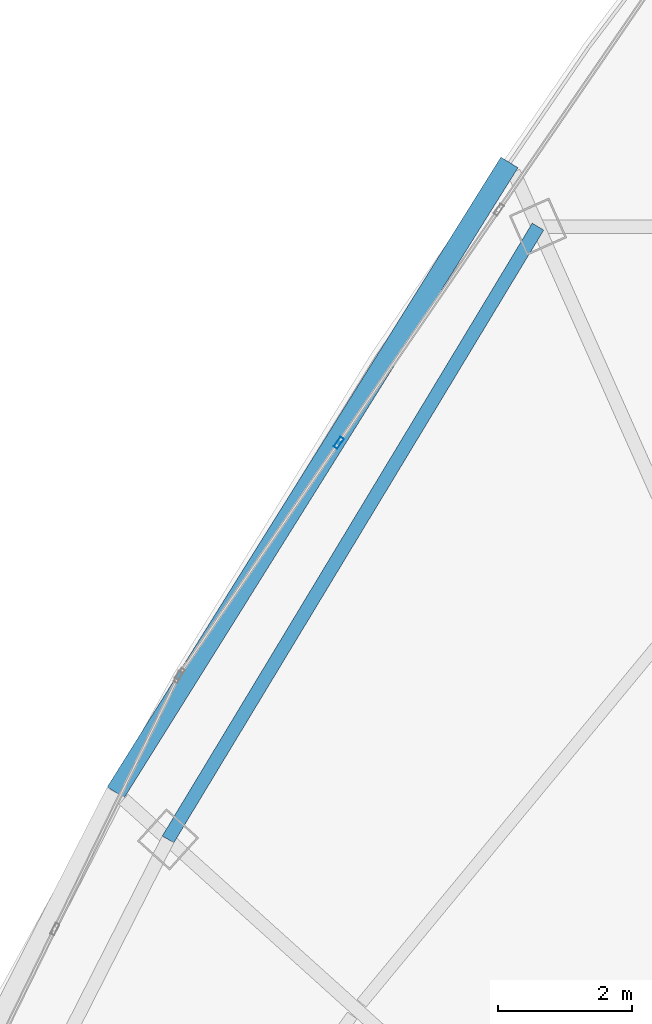
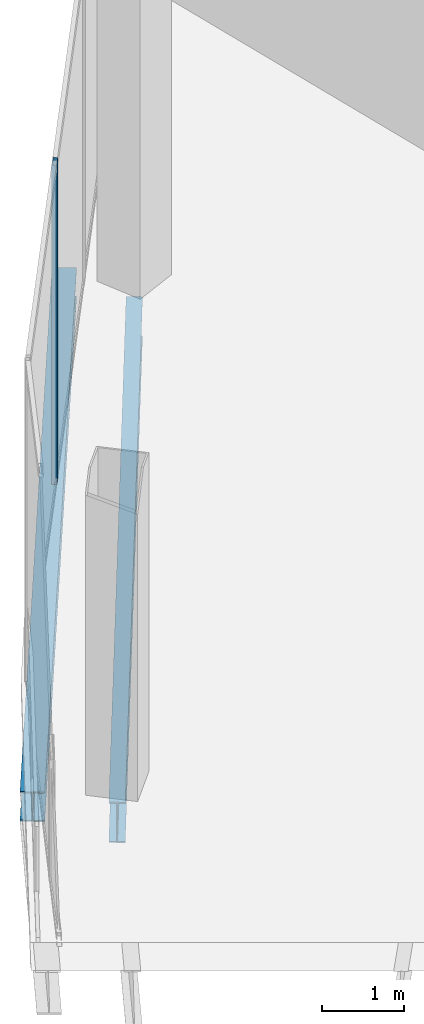
# One storey, part 12 of 32: 2 beams, 1 member, 1 element without a shape of its own.
"""IFC4 building model written with IfcOpenShell, lengths in metres."""

from ifc_helpers import new_model, si_unit, direction, frame, origin, origin_2d, place, context, subcontext, project, spatial, hollow_rectangle, i_section, extrude, source, transform, mapped, material, layer, layer_set, material_profile, profile_set, type_object, element, aggregate, save


model = new_model("IFC4")

# Units and contexts
model_context = context("Model", 3, precision=1e-05, world=origin(), true_north=direction((0.0, 1.0)))
body_context = subcontext(model_context, "Body", "Model", "MODEL_VIEW")
ifc_project = project(units=[si_unit("LENGTHUNIT", "METRE"), si_unit("AREAUNIT", "SQUARE_METRE"), si_unit("VOLUMEUNIT", "CUBIC_METRE"), si_unit("PLANEANGLEUNIT", "RADIAN"), si_unit("MASSUNIT", "GRAM", prefix="KILO"), si_unit("THERMODYNAMICTEMPERATUREUNIT", "KELVIN"), si_unit("POWERUNIT", "WATT")], contexts=[model_context])

# Site, building, storey
site_placement = place(None, origin())
site = spatial("IfcSite", under=ifc_project, at=site_placement, CompositionType="ELEMENT")
building_placement = place(site_placement, origin())
building = spatial("IfcBuilding", under=site, at=building_placement, Name="Yunzhuo Pagoda Commons", CompositionType="ELEMENT")
storey_placement = place(building_placement, frame((0.0, 0.0, 396.760009765625)))
storey = spatial("IfcBuildingStorey", under=building, at=storey_placement, Name="L98", CompositionType="ELEMENT", Elevation=396.760009765625)

# Beams
ifc_material_1 = material(Name="Structural steel Q355B", Category="steel")
ifc_material_profile_1 = material_profile(ifc_material_1, i_section(OverallWidth=0.199951171875, OverallDepth=0.60009765625, WebThickness=0.010986328125, FlangeThickness=0.01708984375, at=origin_2d()), Name="Structural steel Q355B")
ifc_profile_set_1 = profile_set([ifc_material_profile_1], Name="Structural steel Q355B")
beam_type_1 = type_object("IfcBeamType", Name="B-RG3 Beam HN 600x200x11x17", PredefinedType="BEAM", material=ifc_profile_set_1)
shared_shape_1 = source(origin(), body_context, "Body", "SweptSolid", [
    extrude(i_section(OverallWidth=0.199951171875, OverallDepth=0.60009765625, WebThickness=0.010986328125, FlangeThickness=0.01708984375, at=origin_2d()), origin(), (0.0, 0.0, 1.0), 10.691162109375),
])
beam_1_placement = place(storey_placement, frame((37.501220703125, 57.281005859375, -0.580078125), z_axis=(-0.516864678433, -0.856067114301, 0.0), x_axis=(0.856067114301, -0.516864678433, 0.0)))
element("IfcBeam", 1, at=beam_1_placement, inside=storey, type_object=beam_type_1, Name="L98 column-ring beam 9", PredefinedType="BEAM", context=body_context, shape_type="MappedRepresentation", body=[
    mapped(shared_shape_1, transform((0.0, 0.0, 0.0), scale=1.0)),
])
ifc_material_profile_2 = material_profile(ifc_material_1, i_section(OverallWidth=0.300048828125, OverallDepth=0.43994140625, WebThickness=0.010986328125, FlangeThickness=0.01806640625, at=origin_2d()), Name="Structural steel Q355B")
ifc_profile_set_2 = profile_set([ifc_material_profile_2], Name="Structural steel Q355B")
beam_type_2 = type_object("IfcBeamType", Name="B-SP2 Beam HM 440x300x11x18", PredefinedType="BEAM", material=ifc_profile_set_2)
shared_shape_2 = source(origin(), body_context, "Body", "SweptSolid", [
    extrude(i_section(OverallWidth=0.300048828125, OverallDepth=0.43994140625, WebThickness=0.010986328125, FlangeThickness=0.01806640625, at=origin_2d()), origin(), (0.0, 0.0, 1.0), 11.094482421875),
])
beam_2_placement = place(storey_placement, frame((37.07421875, 58.239990234375, -0.5), z_axis=(-0.529915860294, -0.848050223164, 0.0), x_axis=(0.848050223164, -0.529915860294, 0.0)))
element("IfcBeam", 2, at=beam_2_placement, inside=storey, type_object=beam_type_2, Name="L98 facade edge spandrel beam F3.1", PredefinedType="BEAM", context=body_context, shape_type="MappedRepresentation", body=[
    mapped(shared_shape_2, transform((0.0, 0.0, 0.0), scale=1.0)),
])

# Curtain wall, member
ifc_material_2 = material(Name="Anodized aluminium 6063-T6", Category="aluminium")
ifc_layer = layer(ifc_material_2, 0.179931640625)
ifc_layer_set = layer_set([ifc_layer], Name="Anodized aluminium 6063-T6")
curtain_wall_type = type_object("IfcCurtainWallType", Name="CW-CRN Crown Gable Glazing System", PredefinedType="NOTDEFINED", material=ifc_layer_set)
curtain_wall_placement = place(storey_placement, origin())
curtain_wall = element("IfcCurtainWall", 3, at=curtain_wall_placement, inside=storey, type_object=curtain_wall_type, Name="L98 curtain wall CW-L98-CRNF3G1", PredefinedType="NOTDEFINED")
ifc_material_profile_3 = material_profile(ifc_material_2, hollow_rectangle(XDim=0.06494140625, YDim=0.179931640625, WallThickness=0.00390625, at=origin_2d()), Name="Anodized aluminium 6063-T6")
ifc_profile_set_3 = profile_set([ifc_material_profile_3], Name="Anodized aluminium 6063-T6")
member_type = type_object("IfcMemberType", Name="CW-CRN-M Mullion RHS 180x65x4", PredefinedType="MULLION", material=ifc_profile_set_3)
shared_shape_3 = source(origin(), body_context, "Body", "SweptSolid", [
    extrude(hollow_rectangle(XDim=0.06494140625, YDim=0.179931640625, WallThickness=0.00390625, at=origin_2d()), origin(), (0.0, 0.0, 1.0), 4.72021484375),
])
member_placement = place(storey_placement, frame((34.525390625, 54.05322265625, 0.0), z_axis=(0.0, 0.0, 1.0), x_axis=(0.824296116005, -0.566158911561, 0.0)))
member = element("IfcMember", 4, at=member_placement, type_object=member_type, Name="CW mullion 4", PredefinedType="MULLION", context=body_context, shape_type="MappedRepresentation", body=[
    mapped(shared_shape_3, transform((0.0, 0.0, 0.0), scale=1.0)),
])
aggregate(curtain_wall, [member])

save(model, "model.ifc")
